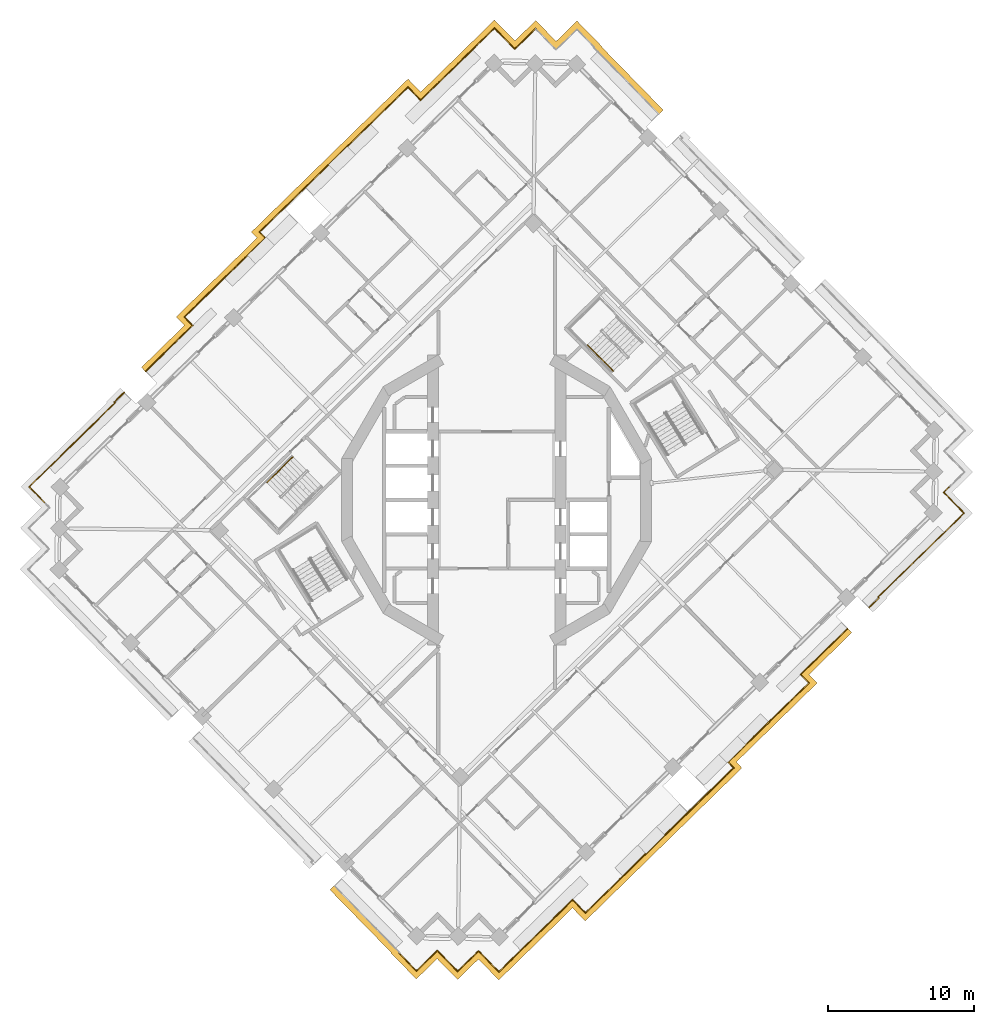
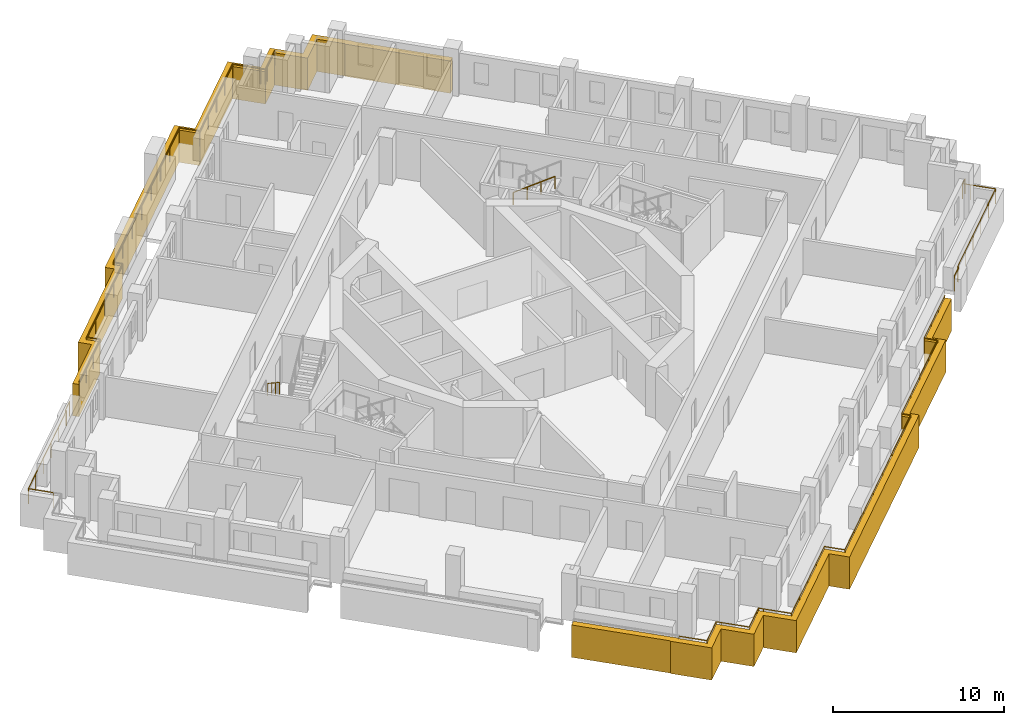
# One storey, part 14 of 17: 6 railings, 2 coverings.
"""IFC4 building model written with IfcOpenShell, lengths in metres."""

from ifc_helpers import new_model, si_unit, direction, frame, origin, origin_2d, place, context, subcontext, project, spatial, polyline, circle, outline, extrude, material, type_object, element, save


model = new_model("IFC4")

# Units and contexts
model_context = context("Model", 3, precision=1e-05, world=origin(), true_north=direction((0.0, 1.0)))
body_context = subcontext(model_context, "Body", "Model", "MODEL_VIEW")
ifc_project = project(units=[si_unit("LENGTHUNIT", "METRE"), si_unit("AREAUNIT", "SQUARE_METRE"), si_unit("VOLUMEUNIT", "CUBIC_METRE"), si_unit("PLANEANGLEUNIT", "RADIAN"), si_unit("MASSUNIT", "GRAM", prefix="KILO")], contexts=[model_context])

# Site, building, storey
site_placement = place(None, origin())
site = spatial("IfcSite", under=ifc_project, at=site_placement, CompositionType="ELEMENT")
building_placement = place(site_placement, origin())
building = spatial("IfcBuilding", under=site, at=building_placement, Name="Cantera Rosa Tower", CompositionType="ELEMENT")
storey_placement = place(building_placement, frame((0.0, 0.0, 237.800048828125)))
storey = spatial("IfcBuildingStorey", under=building, at=storey_placement, Name="L52", CompositionType="ELEMENT", Elevation=237.800048828125)

# Railings
ifc_material_1 = material(Name="Stainless steel and laminated glass", Category="steel")
railing_type_1 = type_object("IfcRailingType", Name="GUARD 1100", PredefinedType="BALUSTRADE", material=ifc_material_1)
railing_1_placement = place(storey_placement, frame((-31.0107421875, -0.16943359375, 0.0)))
element("IfcRailing", 1, at=railing_1_placement, inside=storey, type_object=railing_type_1, Name="GUARD L52-2", PredefinedType="BALUSTRADE", context=body_context, shape_type="SweptSolid", body=[
    extrude(circle(Radius=0.030029296875, at=origin_2d()), frame((0.0, 0.0, 1.070068359375), z_axis=(-0.698838323933, 0.71527966349, 0.0), x_axis=(-0.71527966349, -0.698838323933, 0.0)), (0.0, 0.0, 1.0), 1.499755859375),
    extrude(circle(Radius=0.030029296875, at=origin_2d()), frame((-1.048095703125, 1.07275390625, 1.070068359375), z_axis=(0.71519829713, 0.698921594874, 0.0), x_axis=(-0.698921594874, 0.71519829713, 0.0)), (0.0, 0.0, 1.0), 1.5),
    extrude(circle(Radius=0.030029296875, at=origin_2d()), frame((0.024658203125, 2.12109375, 1.070068359375), z_axis=(0.715299537719, 0.698817981551, 0.0), x_axis=(-0.698817981551, 0.715299537719, 0.0)), (0.0, 0.0, 1.0), 6.739990234375),
    extrude(circle(Radius=0.030029296875, at=origin_2d()), frame((4.845703125, 6.8310546875, 1.070068359375), z_axis=(-0.699463047568, 0.714668765994, 0.0), x_axis=(-0.714668765994, -0.699463047568, 0.0)), (0.0, 0.0, 1.0), 0.080322265625),
    extrude(circle(Radius=0.030029296875, at=origin_2d()), frame((4.78955078125, 6.888427734375, 1.070068359375), z_axis=(0.715280598787, 0.698837366631, 0.0), x_axis=(-0.698837366631, 0.715280598787, 0.0)), (0.0, 0.0, 1.0), 0.9501953125),
    extrude(circle(Radius=0.02490234375, at=origin_2d()), origin(), (0.0, 0.0, 1.0), 1.0400390625),
    extrude(circle(Radius=0.02490234375, at=origin_2d()), frame((-1.048095703125, 1.07275390625, 0.0)), (0.0, 0.0, 1.0), 1.0400390625),
    extrude(circle(Radius=0.02490234375, at=origin_2d()), frame((0.024658203125, 2.12109375, 0.0)), (0.0, 0.0, 1.0), 1.0400390625),
    extrude(circle(Radius=0.02490234375, at=origin_2d()), frame((1.22998046875, 3.298583984375, 0.0)), (0.0, 0.0, 1.0), 1.0400390625),
    extrude(circle(Radius=0.02490234375, at=origin_2d()), frame((2.43505859375, 4.47607421875, 0.0)), (0.0, 0.0, 1.0), 1.0400390625),
    extrude(circle(Radius=0.02490234375, at=origin_2d()), frame((3.640380859375, 5.653564453125, 0.0)), (0.0, 0.0, 1.0), 1.0400390625),
    extrude(circle(Radius=0.02490234375, at=origin_2d()), frame((4.845703125, 6.8310546875, 0.0)), (0.0, 0.0, 1.0), 1.0400390625),
    extrude(circle(Radius=0.02490234375, at=origin_2d()), frame((4.78955078125, 6.888427734375, 0.0)), (0.0, 0.0, 1.0), 1.0400390625),
    extrude(circle(Radius=0.02490234375, at=origin_2d()), frame((5.46923828125, 7.552490234375, 0.0)), (0.0, 0.0, 1.0), 1.0400390625),
])
railing_2_placement = place(storey_placement, frame((-24.068115234375, 8.822509765625, 0.0)))
element("IfcRailing", 2, at=railing_2_placement, inside=storey, type_object=railing_type_1, Name="GUARD L52-5", PredefinedType="BALUSTRADE", context=body_context, shape_type="SweptSolid", body=[
    extrude(circle(Radius=0.030029296875, at=origin_2d()), frame((0.0, 0.0, 1.070068359375), z_axis=(0.715279040078, 0.698838962012, 0.0), x_axis=(-0.698838962012, 0.715279040078, 0.0)), (0.0, 0.0, 1.0), 4.499755859375),
    extrude(circle(Radius=0.030029296875, at=origin_2d()), frame((3.218505859375, 3.14453125, 1.070068359375), z_axis=(-0.698925943544, 0.715194047403, 0.0), x_axis=(-0.715194047403, -0.698925943544, 0.0)), (0.0, 0.0, 1.0), 0.810302734375),
    extrude(circle(Radius=0.030029296875, at=origin_2d()), frame((2.652099609375, 3.72412109375, 1.070068359375), z_axis=(0.715300842089, 0.698816646415, 0.0), x_axis=(-0.698816646415, 0.715300842089, 0.0)), (0.0, 0.0, 1.0), 7.7607421875),
    extrude(circle(Radius=0.030029296875, at=origin_2d()), frame((8.203369140625, 9.1474609375, 1.070068359375), z_axis=(-0.698988739629, 0.715132674314, 0.0), x_axis=(-0.715132674314, -0.698988739629, 0.0)), (0.0, 0.0, 1.0), 0.5595703125),
    extrude(circle(Radius=0.030029296875, at=origin_2d()), frame((7.812255859375, 9.547607421875, 1.070068359375), z_axis=(0.715291351034, 0.69882636122, 0.0), x_axis=(-0.69882636122, 0.715291351034, 0.0)), (0.0, 0.0, 1.0), 14.219970703125),
    extrude(circle(Radius=0.030029296875, at=origin_2d()), frame((17.983642578125, 19.48486328125, 1.070068359375), z_axis=(0.698855744509, -0.715262642927, 0.0), x_axis=(0.715262642927, 0.698855744509, 0.0)), (0.0, 0.0, 1.0), 1.25),
    extrude(circle(Radius=0.030029296875, at=origin_2d()), frame((18.857177734375, 18.5908203125, 1.070068359375), z_axis=(0.715287912844, 0.6988298804, 0.0), x_axis=(-0.6988298804, 0.715287912844, 0.0)), (0.0, 0.0, 1.0), 5.369873046875),
    extrude(circle(Radius=0.030029296875, at=origin_2d()), frame((22.6982421875, 22.343505859375, 1.070068359375), z_axis=(0.715316077832, 0.69880105094, 0.0), x_axis=(-0.69880105094, 0.715316077832, 0.0)), (0.0, 0.0, 1.0), 1.699951171875),
    extrude(circle(Radius=0.030029296875, at=origin_2d()), frame((23.914306640625, 23.531494140625, 1.070068359375), z_axis=(0.698872839675, -0.715245939495, 0.0), x_axis=(0.715245939495, 0.698872839675, 0.0)), (0.0, 0.0, 1.0), 1.699951171875),
    extrude(circle(Radius=0.030029296875, at=origin_2d()), frame((25.102294921875, 22.315673828125, 1.070068359375), z_axis=(0.698506948293, -0.715603272202, 0.0), x_axis=(0.715603272202, 0.698506948293, 0.0)), (0.0, 0.0, 1.0), 0.2998046875),
    extrude(circle(Radius=0.030029296875, at=origin_2d()), frame((25.311767578125, 22.10107421875, 1.070068359375), z_axis=(0.715196445894, 0.698923489218, 0.0), x_axis=(-0.698923489218, 0.715196445894, 0.0)), (0.0, 0.0, 1.0), 0.300048828125),
    extrude(circle(Radius=0.030029296875, at=origin_2d()), frame((25.5263671875, 22.310791015625, 1.070068359375), z_axis=(0.715316077832, 0.69880105094, 0.0), x_axis=(-0.69880105094, 0.715316077832, 0.0)), (0.0, 0.0, 1.0), 1.699951171875),
    extrude(circle(Radius=0.02490234375, at=origin_2d()), origin(), (0.0, 0.0, 1.0), 1.0400390625),
    extrude(circle(Radius=0.02490234375, at=origin_2d()), frame((1.07275390625, 1.048095703125, 0.0)), (0.0, 0.0, 1.0), 1.0400390625),
    extrude(circle(Radius=0.02490234375, at=origin_2d()), frame((2.145751953125, 2.096435546875, 0.0)), (0.0, 0.0, 1.0), 1.0400390625),
    extrude(circle(Radius=0.02490234375, at=origin_2d()), frame((3.218505859375, 3.14453125, 0.0)), (0.0, 0.0, 1.0), 1.0400390625),
    extrude(circle(Radius=0.02490234375, at=origin_2d()), frame((2.652099609375, 3.72412109375, 0.0)), (0.0, 0.0, 1.0), 1.0400390625),
    extrude(circle(Radius=0.02490234375, at=origin_2d()), frame((4.0400390625, 5.080078125, 0.0)), (0.0, 0.0, 1.0), 1.0400390625),
    extrude(circle(Radius=0.02490234375, at=origin_2d()), frame((5.427734375, 6.435791015625, 0.0)), (0.0, 0.0, 1.0), 1.0400390625),
    extrude(circle(Radius=0.02490234375, at=origin_2d()), frame((6.8154296875, 7.79150390625, 0.0)), (0.0, 0.0, 1.0), 1.0400390625),
    extrude(circle(Radius=0.02490234375, at=origin_2d()), frame((8.203369140625, 9.1474609375, 0.0)), (0.0, 0.0, 1.0), 1.0400390625),
    extrude(circle(Radius=0.02490234375, at=origin_2d()), frame((7.812255859375, 9.547607421875, 0.0)), (0.0, 0.0, 1.0), 1.0400390625),
    extrude(circle(Radius=0.02490234375, at=origin_2d()), frame((9.265380859375, 10.96728515625, 0.0)), (0.0, 0.0, 1.0), 1.0400390625),
    extrude(circle(Radius=0.02490234375, at=origin_2d()), frame((10.71826171875, 12.38671875, 0.0)), (0.0, 0.0, 1.0), 1.0400390625),
    extrude(circle(Radius=0.02490234375, at=origin_2d()), frame((12.17138671875, 13.806396484375, 0.0)), (0.0, 0.0, 1.0), 1.0400390625),
    extrude(circle(Radius=0.02490234375, at=origin_2d()), frame((13.62451171875, 15.22607421875, 0.0)), (0.0, 0.0, 1.0), 1.0400390625),
    extrude(circle(Radius=0.02490234375, at=origin_2d()), frame((15.07763671875, 16.645751953125, 0.0)), (0.0, 0.0, 1.0), 1.0400390625),
    extrude(circle(Radius=0.02490234375, at=origin_2d()), frame((16.530517578125, 18.065185546875, 0.0)), (0.0, 0.0, 1.0), 1.0400390625),
    extrude(circle(Radius=0.02490234375, at=origin_2d()), frame((17.983642578125, 19.48486328125, 0.0)), (0.0, 0.0, 1.0), 1.0400390625),
    extrude(circle(Radius=0.02490234375, at=origin_2d()), frame((18.857177734375, 18.5908203125, 0.0)), (0.0, 0.0, 1.0), 1.0400390625),
    extrude(circle(Radius=0.02490234375, at=origin_2d()), frame((20.137451171875, 19.841796875, 0.0)), (0.0, 0.0, 1.0), 1.0400390625),
    extrude(circle(Radius=0.02490234375, at=origin_2d()), frame((21.41796875, 21.092529296875, 0.0)), (0.0, 0.0, 1.0), 1.0400390625),
    extrude(circle(Radius=0.02490234375, at=origin_2d()), frame((22.6982421875, 22.343505859375, 0.0)), (0.0, 0.0, 1.0), 1.0400390625),
    extrude(circle(Radius=0.02490234375, at=origin_2d()), frame((23.914306640625, 23.531494140625, 0.0)), (0.0, 0.0, 1.0), 1.0400390625),
    extrude(circle(Radius=0.02490234375, at=origin_2d()), frame((25.102294921875, 22.315673828125, 0.0)), (0.0, 0.0, 1.0), 1.0400390625),
    extrude(circle(Radius=0.02490234375, at=origin_2d()), frame((25.311767578125, 22.10107421875, 0.0)), (0.0, 0.0, 1.0), 1.0400390625),
    extrude(circle(Radius=0.02490234375, at=origin_2d()), frame((25.5263671875, 22.310791015625, 0.0)), (0.0, 0.0, 1.0), 1.0400390625),
    extrude(circle(Radius=0.02490234375, at=origin_2d()), frame((26.742431640625, 23.498779296875, 0.0)), (0.0, 0.0, 1.0), 1.0400390625),
])
railing_3_placement = place(storey_placement, frame((24.068115234375, -8.822509765625, 0.0)))
element("IfcRailing", 3, at=railing_3_placement, inside=storey, type_object=railing_type_1, Name="GUARD L52-7", PredefinedType="BALUSTRADE", context=body_context, shape_type="SweptSolid", body=[
    extrude(circle(Radius=0.030029296875, at=origin_2d()), frame((0.0, 0.0, 1.070068359375), z_axis=(-0.715279040078, -0.698838962012, 0.0), x_axis=(0.698838962012, -0.715279040078, 0.0)), (0.0, 0.0, 1.0), 4.499755859375),
    extrude(circle(Radius=0.030029296875, at=origin_2d()), frame((-3.218505859375, -3.14453125, 1.070068359375), z_axis=(0.698925943544, -0.715194047403, 0.0), x_axis=(0.715194047403, 0.698925943544, 0.0)), (0.0, 0.0, 1.0), 0.810302734375),
    extrude(circle(Radius=0.030029296875, at=origin_2d()), frame((-2.652099609375, -3.72412109375, 1.070068359375), z_axis=(-0.715300842089, -0.698816646415, 0.0), x_axis=(0.698816646415, -0.715300842089, 0.0)), (0.0, 0.0, 1.0), 7.7607421875),
    extrude(circle(Radius=0.030029296875, at=origin_2d()), frame((-8.203369140625, -9.1474609375, 1.070068359375), z_axis=(0.698988739629, -0.715132674314, 0.0), x_axis=(0.715132674314, 0.698988739629, 0.0)), (0.0, 0.0, 1.0), 0.5595703125),
    extrude(circle(Radius=0.030029296875, at=origin_2d()), frame((-7.812255859375, -9.547607421875, 1.070068359375), z_axis=(-0.715291351034, -0.69882636122, 0.0), x_axis=(0.69882636122, -0.715291351034, 0.0)), (0.0, 0.0, 1.0), 14.219970703125),
    extrude(circle(Radius=0.030029296875, at=origin_2d()), frame((-17.983642578125, -19.48486328125, 1.070068359375), z_axis=(-0.698855744509, 0.715262642927, 0.0), x_axis=(-0.715262642927, -0.698855744509, 0.0)), (0.0, 0.0, 1.0), 1.25),
    extrude(circle(Radius=0.030029296875, at=origin_2d()), frame((-18.857177734375, -18.5908203125, 1.070068359375), z_axis=(-0.715287912844, -0.6988298804, 0.0), x_axis=(0.6988298804, -0.715287912844, 0.0)), (0.0, 0.0, 1.0), 5.369873046875),
    extrude(circle(Radius=0.030029296875, at=origin_2d()), frame((-22.6982421875, -22.343505859375, 1.070068359375), z_axis=(-0.715316077832, -0.69880105094, 0.0), x_axis=(0.69880105094, -0.715316077832, 0.0)), (0.0, 0.0, 1.0), 1.699951171875),
    extrude(circle(Radius=0.030029296875, at=origin_2d()), frame((-23.914306640625, -23.531494140625, 1.070068359375), z_axis=(-0.698872839675, 0.715245939495, 0.0), x_axis=(-0.715245939495, -0.698872839675, 0.0)), (0.0, 0.0, 1.0), 1.699951171875),
    extrude(circle(Radius=0.030029296875, at=origin_2d()), frame((-25.102294921875, -22.315673828125, 1.070068359375), z_axis=(-0.698506948293, 0.715603272202, 0.0), x_axis=(-0.715603272202, -0.698506948293, 0.0)), (0.0, 0.0, 1.0), 0.2998046875),
    extrude(circle(Radius=0.030029296875, at=origin_2d()), frame((-25.311767578125, -22.10107421875, 1.070068359375), z_axis=(-0.715196445894, -0.698923489218, 0.0), x_axis=(0.698923489218, -0.715196445894, 0.0)), (0.0, 0.0, 1.0), 0.300048828125),
    extrude(circle(Radius=0.030029296875, at=origin_2d()), frame((-25.5263671875, -22.310791015625, 1.070068359375), z_axis=(-0.715316077832, -0.69880105094, 0.0), x_axis=(0.69880105094, -0.715316077832, 0.0)), (0.0, 0.0, 1.0), 1.699951171875),
    extrude(circle(Radius=0.030029296875, at=origin_2d()), frame((-26.742431640625, -23.498779296875, 1.070068359375), z_axis=(-0.69880105094, 0.715316077832, 0.0), x_axis=(-0.715316077832, -0.69880105094, 0.0)), (0.0, 0.0, 1.0), 1.699951171875),
    extrude(circle(Radius=0.030029296875, at=origin_2d()), frame((-27.930419921875, -22.28271484375, 1.070068359375), z_axis=(-0.698923489218, 0.715196445894, 0.0), x_axis=(-0.715196445894, -0.698923489218, 0.0)), (0.0, 0.0, 1.0), 0.300048828125),
    extrude(circle(Radius=0.030029296875, at=origin_2d()), frame((-28.14013671875, -22.068115234375, 1.070068359375), z_axis=(-0.715298131827, -0.698819420598, 0.0), x_axis=(0.698819420598, -0.715298131827, 0.0)), (0.0, 0.0, 1.0), 2.0),
    extrude(circle(Radius=0.030029296875, at=origin_2d()), frame((-29.57080078125, -23.4658203125, 1.070068359375), z_axis=(-0.69880105094, 0.715316077832, 0.0), x_axis=(-0.715316077832, -0.69880105094, 0.0)), (0.0, 0.0, 1.0), 1.699951171875),
    extrude(circle(Radius=0.02490234375, at=origin_2d()), origin(), (0.0, 0.0, 1.0), 1.0400390625),
    extrude(circle(Radius=0.02490234375, at=origin_2d()), frame((-1.07275390625, -1.048095703125, 0.0)), (0.0, 0.0, 1.0), 1.0400390625),
    extrude(circle(Radius=0.02490234375, at=origin_2d()), frame((-2.145751953125, -2.096435546875, 0.0)), (0.0, 0.0, 1.0), 1.0400390625),
    extrude(circle(Radius=0.02490234375, at=origin_2d()), frame((-3.218505859375, -3.14453125, 0.0)), (0.0, 0.0, 1.0), 1.0400390625),
    extrude(circle(Radius=0.02490234375, at=origin_2d()), frame((-2.652099609375, -3.72412109375, 0.0)), (0.0, 0.0, 1.0), 1.0400390625),
    extrude(circle(Radius=0.02490234375, at=origin_2d()), frame((-4.0400390625, -5.080078125, 0.0)), (0.0, 0.0, 1.0), 1.0400390625),
    extrude(circle(Radius=0.02490234375, at=origin_2d()), frame((-5.427734375, -6.435791015625, 0.0)), (0.0, 0.0, 1.0), 1.0400390625),
    extrude(circle(Radius=0.02490234375, at=origin_2d()), frame((-6.8154296875, -7.79150390625, 0.0)), (0.0, 0.0, 1.0), 1.0400390625),
    extrude(circle(Radius=0.02490234375, at=origin_2d()), frame((-8.203369140625, -9.1474609375, 0.0)), (0.0, 0.0, 1.0), 1.0400390625),
    extrude(circle(Radius=0.02490234375, at=origin_2d()), frame((-7.812255859375, -9.547607421875, 0.0)), (0.0, 0.0, 1.0), 1.0400390625),
    extrude(circle(Radius=0.02490234375, at=origin_2d()), frame((-9.265380859375, -10.96728515625, 0.0)), (0.0, 0.0, 1.0), 1.0400390625),
    extrude(circle(Radius=0.02490234375, at=origin_2d()), frame((-10.71826171875, -12.38671875, 0.0)), (0.0, 0.0, 1.0), 1.0400390625),
    extrude(circle(Radius=0.02490234375, at=origin_2d()), frame((-12.17138671875, -13.806396484375, 0.0)), (0.0, 0.0, 1.0), 1.0400390625),
    extrude(circle(Radius=0.02490234375, at=origin_2d()), frame((-13.62451171875, -15.22607421875, 0.0)), (0.0, 0.0, 1.0), 1.0400390625),
    extrude(circle(Radius=0.02490234375, at=origin_2d()), frame((-15.07763671875, -16.645751953125, 0.0)), (0.0, 0.0, 1.0), 1.0400390625),
    extrude(circle(Radius=0.02490234375, at=origin_2d()), frame((-16.530517578125, -18.065185546875, 0.0)), (0.0, 0.0, 1.0), 1.0400390625),
    extrude(circle(Radius=0.02490234375, at=origin_2d()), frame((-17.983642578125, -19.48486328125, 0.0)), (0.0, 0.0, 1.0), 1.0400390625),
    extrude(circle(Radius=0.02490234375, at=origin_2d()), frame((-18.857177734375, -18.5908203125, 0.0)), (0.0, 0.0, 1.0), 1.0400390625),
    extrude(circle(Radius=0.02490234375, at=origin_2d()), frame((-20.137451171875, -19.841796875, 0.0)), (0.0, 0.0, 1.0), 1.0400390625),
    extrude(circle(Radius=0.02490234375, at=origin_2d()), frame((-21.41796875, -21.092529296875, 0.0)), (0.0, 0.0, 1.0), 1.0400390625),
    extrude(circle(Radius=0.02490234375, at=origin_2d()), frame((-22.6982421875, -22.343505859375, 0.0)), (0.0, 0.0, 1.0), 1.0400390625),
    extrude(circle(Radius=0.02490234375, at=origin_2d()), frame((-23.914306640625, -23.531494140625, 0.0)), (0.0, 0.0, 1.0), 1.0400390625),
    extrude(circle(Radius=0.02490234375, at=origin_2d()), frame((-25.102294921875, -22.315673828125, 0.0)), (0.0, 0.0, 1.0), 1.0400390625),
    extrude(circle(Radius=0.02490234375, at=origin_2d()), frame((-25.311767578125, -22.10107421875, 0.0)), (0.0, 0.0, 1.0), 1.0400390625),
    extrude(circle(Radius=0.02490234375, at=origin_2d()), frame((-25.5263671875, -22.310791015625, 0.0)), (0.0, 0.0, 1.0), 1.0400390625),
    extrude(circle(Radius=0.02490234375, at=origin_2d()), frame((-26.742431640625, -23.498779296875, 0.0)), (0.0, 0.0, 1.0), 1.0400390625),
    extrude(circle(Radius=0.02490234375, at=origin_2d()), frame((-27.930419921875, -22.28271484375, 0.0)), (0.0, 0.0, 1.0), 1.0400390625),
    extrude(circle(Radius=0.02490234375, at=origin_2d()), frame((-28.14013671875, -22.068115234375, 0.0)), (0.0, 0.0, 1.0), 1.0400390625),
    extrude(circle(Radius=0.02490234375, at=origin_2d()), frame((-29.57080078125, -23.4658203125, 0.0)), (0.0, 0.0, 1.0), 1.0400390625),
    extrude(circle(Radius=0.02490234375, at=origin_2d()), frame((-30.7587890625, -22.249755859375, 0.0)), (0.0, 0.0, 1.0), 1.0400390625),
])
railing_4_placement = place(storey_placement, frame((31.01904296875, 0.87646484375, 0.0)))
element("IfcRailing", 4, at=railing_4_placement, inside=storey, type_object=railing_type_1, Name="GUARD L52-8", PredefinedType="BALUSTRADE", context=body_context, shape_type="SweptSolid", body=[
    extrude(circle(Radius=0.030029296875, at=origin_2d()), frame((0.0, 0.0, 1.070068359375), z_axis=(-0.715359149995, -0.698756958118, 0.0), x_axis=(0.698756958118, -0.715359149995, 0.0)), (0.0, 0.0, 1.0), 0.5),
    extrude(circle(Radius=0.030029296875, at=origin_2d()), frame((-0.357666015625, -0.349365234375, 1.070068359375), z_axis=(0.698756958118, -0.715359149995, 0.0), x_axis=(0.715359149995, 0.698756958118, 0.0)), (0.0, 0.0, 1.0), 0.5),
    extrude(circle(Radius=0.030029296875, at=origin_2d()), frame((-0.00830078125, -0.70703125, 1.070068359375), z_axis=(0.698838323933, -0.71527966349, 0.0), x_axis=(0.71527966349, 0.698838323933, 0.0)), (0.0, 0.0, 1.0), 1.499755859375),
    extrude(circle(Radius=0.030029296875, at=origin_2d()), frame((1.039794921875, -1.77978515625, 1.070068359375), z_axis=(-0.71519829713, -0.698921594874, 0.0), x_axis=(0.698921594874, -0.71519829713, 0.0)), (0.0, 0.0, 1.0), 1.5),
    extrude(circle(Radius=0.030029296875, at=origin_2d()), frame((-0.032958984375, -2.828125, 1.070068359375), z_axis=(-0.715299537719, -0.698817981551, 0.0), x_axis=(0.698817981551, -0.715299537719, 0.0)), (0.0, 0.0, 1.0), 6.739990234375),
    extrude(circle(Radius=0.030029296875, at=origin_2d()), frame((-4.85400390625, -7.5380859375, 1.070068359375), z_axis=(0.699463047568, -0.714668765994, 0.0), x_axis=(0.714668765994, 0.699463047568, 0.0)), (0.0, 0.0, 1.0), 0.080322265625),
    extrude(circle(Radius=0.030029296875, at=origin_2d()), frame((-4.7978515625, -7.595458984375, 1.070068359375), z_axis=(-0.715280598787, -0.698837366631, 0.0), x_axis=(0.698837366631, -0.715280598787, 0.0)), (0.0, 0.0, 1.0), 0.9501953125),
    extrude(circle(Radius=0.02490234375, at=origin_2d()), origin(), (0.0, 0.0, 1.0), 1.0400390625),
    extrude(circle(Radius=0.02490234375, at=origin_2d()), frame((-0.357666015625, -0.349365234375, 0.0)), (0.0, 0.0, 1.0), 1.0400390625),
    extrude(circle(Radius=0.02490234375, at=origin_2d()), frame((-0.00830078125, -0.70703125, 0.0)), (0.0, 0.0, 1.0), 1.0400390625),
    extrude(circle(Radius=0.02490234375, at=origin_2d()), frame((1.039794921875, -1.77978515625, 0.0)), (0.0, 0.0, 1.0), 1.0400390625),
    extrude(circle(Radius=0.02490234375, at=origin_2d()), frame((-0.032958984375, -2.828125, 0.0)), (0.0, 0.0, 1.0), 1.0400390625),
    extrude(circle(Radius=0.02490234375, at=origin_2d()), frame((-1.23828125, -4.005615234375, 0.0)), (0.0, 0.0, 1.0), 1.0400390625),
    extrude(circle(Radius=0.02490234375, at=origin_2d()), frame((-2.443359375, -5.18310546875, 0.0)), (0.0, 0.0, 1.0), 1.0400390625),
    extrude(circle(Radius=0.02490234375, at=origin_2d()), frame((-3.648681640625, -6.360595703125, 0.0)), (0.0, 0.0, 1.0), 1.0400390625),
    extrude(circle(Radius=0.02490234375, at=origin_2d()), frame((-4.85400390625, -7.5380859375, 0.0)), (0.0, 0.0, 1.0), 1.0400390625),
    extrude(circle(Radius=0.02490234375, at=origin_2d()), frame((-4.7978515625, -7.595458984375, 0.0)), (0.0, 0.0, 1.0), 1.0400390625),
    extrude(circle(Radius=0.02490234375, at=origin_2d()), frame((-5.4775390625, -8.259521484375, 0.0)), (0.0, 0.0, 1.0), 1.0400390625),
])
ifc_material_2 = material(Name="Steel S355J2 (EN 10025-2)", Category="steel")
railing_type_2 = type_object("IfcRailingType", Name="STAIR HANDRAIL 900", PredefinedType="HANDRAIL", material=ifc_material_2)
railing_5_placement = place(storey_placement, frame((6.23388671875, 10.64013671875, 1.97998046875)))
element("IfcRailing", 5, at=railing_5_placement, inside=storey, type_object=railing_type_2, Name="L52 ST-42 stair handrail 2", PredefinedType="HANDRAIL", context=body_context, shape_type="SweptSolid", body=[
    extrude(circle(Radius=0.02392578125, at=origin_2d()), frame((0.0, 0.0, 0.8759765625), z_axis=(0.587844099419, -0.60169873645, 0.540738333515), x_axis=(0.715293958342, 0.698823692472, 0.0)), (0.0, 0.0, 1.0), 2.99560546875),
    extrude(circle(Radius=0.02099609375, at=origin_2d()), origin(), (0.0, 0.0, 1.0), 0.851806640625),
    extrude(circle(Radius=0.02099609375, at=origin_2d()), frame((0.5869140625, -0.600830078125, 0.5400390625)), (0.0, 0.0, 1.0), 0.851806640625),
    extrude(circle(Radius=0.02099609375, at=origin_2d()), frame((1.174072265625, -1.20166015625, 1.079833984375)), (0.0, 0.0, 1.0), 0.851806640625),
    extrude(circle(Radius=0.02099609375, at=origin_2d()), frame((1.760986328125, -1.802490234375, 1.619873046875)), (0.0, 0.0, 1.0), 0.851806640625),
])
railing_6_placement = place(storey_placement, frame((-13.95947265625, 2.9619140625, 0.179931640625)))
element("IfcRailing", 6, at=railing_6_placement, inside=storey, type_object=railing_type_2, Name="L52 ST-43 stair handrail 1", PredefinedType="HANDRAIL", context=body_context, shape_type="SweptSolid", body=[
    extrude(circle(Radius=0.02392578125, at=origin_2d()), frame((0.0, 0.0, 0.8759765625), z_axis=(-0.601672219931, -0.587818193466, 0.54079599776), x_axis=(0.698823692472, -0.715293958342, 0.0)), (0.0, 0.0, 1.0), 2.995849609375),
    extrude(circle(Radius=0.02099609375, at=origin_2d()), origin(), (0.0, 0.0, 1.0), 0.851806640625),
    extrude(circle(Radius=0.02099609375, at=origin_2d()), frame((-0.600830078125, -0.5869140625, 0.5400390625)), (0.0, 0.0, 1.0), 0.851806640625),
    extrude(circle(Radius=0.02099609375, at=origin_2d()), frame((-1.20166015625, -1.174072265625, 1.080078125)), (0.0, 0.0, 1.0), 0.851806640625),
    extrude(circle(Radius=0.02099609375, at=origin_2d()), frame((-1.802490234375, -1.760986328125, 1.6201171875)), (0.0, 0.0, 1.0), 0.851806640625),
])

# Coverings
ifc_material_3 = material(Name="Cantera stone", Category="masonry")
covering_type = type_object("IfcCoveringType", Name="TRAY FASCIA 400", PredefinedType="CLADDING", material=ifc_material_3)
covering_1_placement = place(storey_placement, frame((0.0, 0.0, -1.400146484375)))
element("IfcCovering", 7, at=covering_1_placement, inside=storey, type_object=covering_type, Name="TRAY FASCIA L52-03", PredefinedType="CLADDING", context=body_context, shape_type="SweptSolid", body=[
    extrude(outline(polyline([(-21.415283203125, 11.9736328125), (-21.981689453125, 12.55322265625), (-16.430419921875, 17.9765625), (-16.821533203125, 18.376708984375), (-6.077880859375, 28.873046875), (-5.204345703125, 27.97900390625), (-1.6494140625, 31.4521484375), (-0.147216796875, 32.919677734375), (1.250244140625, 31.4892578125), (2.680908203125, 32.886962890625), (4.07861328125, 31.456298828125), (5.50927734375, 32.85400390625), (7.25634765625, 31.065673828125), (7.22900390625, 31.0390625), (11.428955078125, 26.740234375), (11.142822265625, 26.460693359375), (6.663330078125, 31.045654296875), (6.690673828125, 31.072265625), (5.502685546875, 32.288330078125), (4.072021484375, 30.890625), (3.8623046875, 31.105224609375), (2.67431640625, 32.3212890625), (1.458251953125, 31.13330078125), (1.24365234375, 30.923583984375), (1.0341796875, 31.13818359375), (-0.15380859375, 32.35400390625), (-1.369873046875, 31.166015625), (-5.2109375, 27.413330078125), (-6.08447265625, 28.307373046875), (-16.255859375, 18.3701171875), (-15.86474609375, 17.969970703125), (-21.416015625, 12.546630859375), (-20.849609375, 11.967041015625), (-24.082275390625, 8.80859375), (-24.36181640625, 9.0947265625), (-21.415283203125, 11.9736328125)])), origin(), (0.0, 0.0, 1.0), 2.300048828125),
])
covering_2_placement = place(storey_placement, frame((0.0, 0.0, -1.400146484375)))
element("IfcCovering", 8, at=covering_2_placement, inside=storey, type_object=covering_type, Name="TRAY FASCIA L52-04", PredefinedType="CLADDING", context=body_context, shape_type="SweptSolid", body=[
    extrude(outline(polyline([(21.415283203125, -11.9736328125), (21.981689453125, -12.55322265625), (16.430419921875, -17.9765625), (16.821533203125, -18.376708984375), (6.077880859375, -28.873046875), (5.204345703125, -27.97900390625), (1.6494140625, -31.4521484375), (0.147216796875, -32.919677734375), (-1.250244140625, -31.4892578125), (-2.680908203125, -32.886962890625), (-4.07861328125, -31.456298828125), (-5.50927734375, -32.85400390625), (-7.25634765625, -31.065673828125), (-7.22900390625, -31.0390625), (-11.428955078125, -26.740234375), (-11.142822265625, -26.460693359375), (-6.663330078125, -31.045654296875), (-6.690673828125, -31.072265625), (-5.502685546875, -32.288330078125), (-4.072021484375, -30.890625), (-3.8623046875, -31.105224609375), (-2.67431640625, -32.3212890625), (-1.458251953125, -31.13330078125), (-1.24365234375, -30.923583984375), (-1.0341796875, -31.13818359375), (0.15380859375, -32.35400390625), (1.369873046875, -31.166015625), (5.2109375, -27.413330078125), (6.08447265625, -28.307373046875), (16.255859375, -18.3701171875), (15.86474609375, -17.969970703125), (21.416015625, -12.546630859375), (20.849609375, -11.967041015625), (24.082275390625, -8.80859375), (24.36181640625, -9.0947265625), (21.415283203125, -11.9736328125)])), origin(), (0.0, 0.0, 1.0), 2.300048828125),
])

save(model, "model.ifc")
